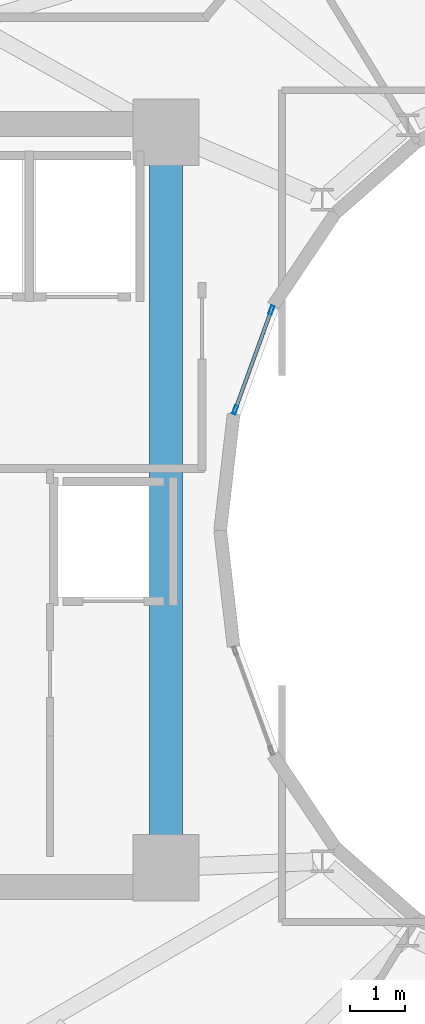
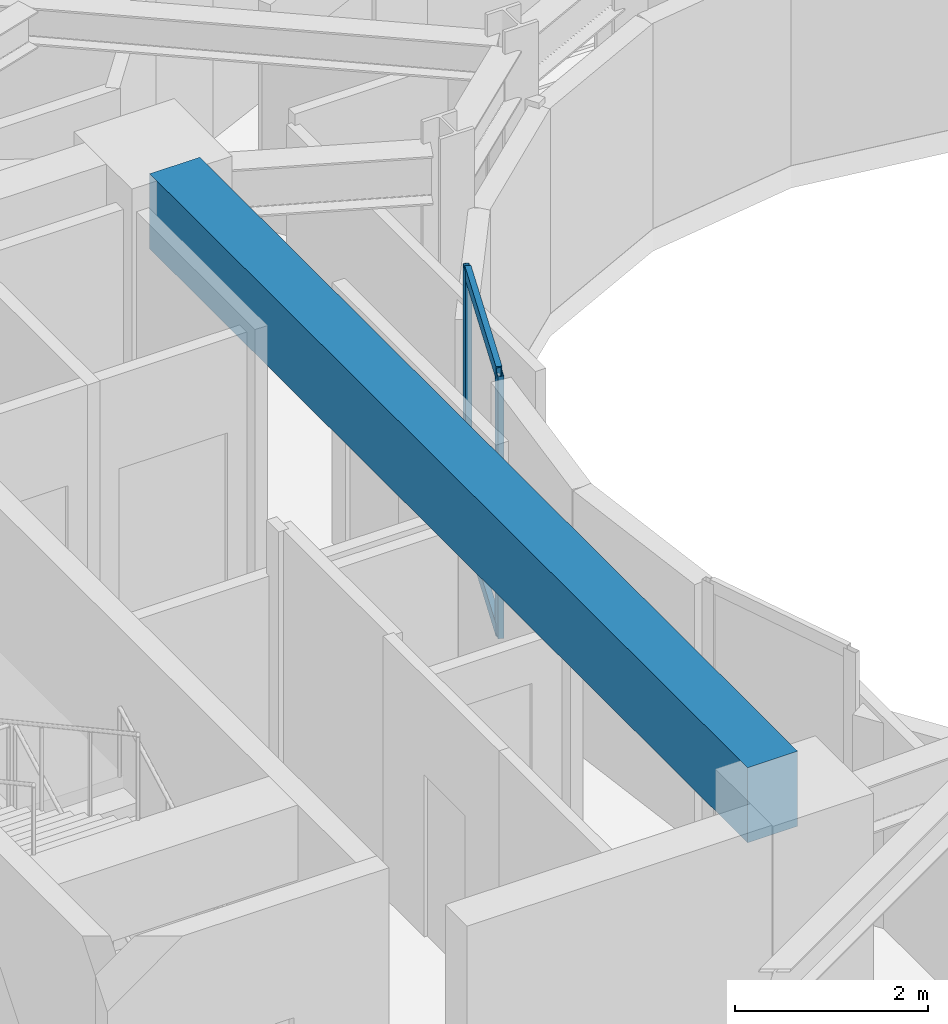
# One storey, part 7 of 24: 4 members, 1 beam, 1 element without a shape of its own.
"""IFC4 building model written with IfcOpenShell, lengths in metres."""

from ifc_helpers import new_model, si_unit, direction, frame, origin, origin_2d, place, context, subcontext, project, spatial, rectangle, hollow_rectangle, extrude, material, layer, layer_set, material_profile, profile_set, type_object, element, aggregate, save


model = new_model("IFC4")

# Units and contexts
model_context = context("Model", 3, precision=1e-05, world=origin(), true_north=direction((0.0, 1.0)))
body_context = subcontext(model_context, "Body", "Model", "MODEL_VIEW")
ifc_project = project(units=[si_unit("LENGTHUNIT", "METRE"), si_unit("AREAUNIT", "SQUARE_METRE"), si_unit("VOLUMEUNIT", "CUBIC_METRE"), si_unit("PLANEANGLEUNIT", "RADIAN"), si_unit("MASSUNIT", "GRAM", prefix="KILO")], contexts=[model_context])

# Site, building, storey
site_placement = place(None, origin())
site = spatial("IfcSite", under=ifc_project, at=site_placement, CompositionType="ELEMENT")
building_placement = place(site_placement, origin())
building = spatial("IfcBuilding", under=site, at=building_placement, Name="Solvane Sanctuary Tower", CompositionType="ELEMENT")
storey_placement = place(building_placement, frame((0.0, 0.0, 253.199951171875)))
storey = spatial("IfcBuildingStorey", under=building, at=storey_placement, Name="L77", CompositionType="ELEMENT", Elevation=253.199951171875)

# Beam
ifc_material_1 = material(Name="Concrete C70/85", Category="concrete")
ifc_material_profile_1 = material_profile(ifc_material_1, rectangle(XDim=0.60009765625, YDim=0.949951171875, at=origin_2d()), Name="RC600X950")
ifc_profile_set_1 = profile_set([ifc_material_profile_1], Name="Concrete C70/85")
beam_type = type_object("IfcBeamType", Name="Beam B-COUPLE RC600X950", PredefinedType="LINTEL", material=ifc_profile_set_1)
beam_placement = place(storey_placement, frame((23.89990234375, 17.35009765625, 3.125), z_axis=(0.0, 1.0, 0.0), x_axis=(-1.0, 0.0, 0.0)))
element("IfcBeam", 1, at=beam_placement, inside=storey, type_object=beam_type, Name="L77 West Core Coupling Lintel", PredefinedType="LINTEL", context=body_context, shape_type="SweptSolid", body=[
    extrude(rectangle(XDim=0.60009765625, YDim=0.949951171875, at=origin_2d()), origin(), (0.0, 0.0, 1.0), 12.39990234375),
])

# Curtain wall, members
ifc_material_2 = material(Name="Anodised Aluminium 6063-T6", Category="aluminium")
ifc_layer = layer(ifc_material_2, 0.199951171875, Name="Anodised Aluminium 6063-T6")
ifc_layer_set = layer_set([ifc_layer], Name="Anodised Aluminium 6063-T6")
curtain_wall_type = type_object("IfcCurtainWallType", Name="Curtain Wall CW-WELL", PredefinedType="NOTDEFINED", material=ifc_layer_set)
curtain_wall_placement = place(storey_placement, origin())
curtain_wall = element("IfcCurtainWall", 2, at=curtain_wall_placement, inside=storey, type_object=curtain_wall_type, Name="L77 Light-Well Glazed Curtain Wall 10", PredefinedType="NOTDEFINED")
ifc_material_profile_2 = material_profile(ifc_material_2, hollow_rectangle(XDim=0.06494140625, YDim=0.159912109375, WallThickness=0.00341796875, at=origin_2d()), Name="ALU160X65X3.5")
ifc_profile_set_2 = profile_set([ifc_material_profile_2], Name="Anodised Aluminium 6063-T6")
member_type_1 = type_object("IfcMemberType", Name="Member M-CW-MUL-2 ALU160X65X3.5", PredefinedType="MULLION", material=ifc_profile_set_2)
member_1_placement = place(storey_placement, frame((25.8056640625, 26.982421875, 0.0), z_axis=(0.0, 0.0, 1.0), x_axis=(0.939933181429, -0.341358483781, 0.0)))
member_1 = element("IfcMember", 3, at=member_1_placement, type_object=member_type_1, Name="CW-WELL mullion 1", PredefinedType="MULLION", context=body_context, shape_type="SweptSolid", body=[
    extrude(hollow_rectangle(XDim=0.06494140625, YDim=0.159912109375, WallThickness=0.00341796875, at=origin_2d()), origin(), (0.0, 0.0, 1.0), 3.320068359375),
])
member_2_placement = place(storey_placement, frame((25.15087890625, 25.17919921875, 0.0), z_axis=(0.0, 0.0, 1.0), x_axis=(0.939933181429, -0.341358483781, 0.0)))
member_2 = element("IfcMember", 4, at=member_2_placement, type_object=member_type_1, Name="CW-WELL mullion 2", PredefinedType="MULLION", context=body_context, shape_type="SweptSolid", body=[
    extrude(hollow_rectangle(XDim=0.06494140625, YDim=0.159912109375, WallThickness=0.00341796875, at=origin_2d()), origin(), (0.0, 0.0, 1.0), 3.320068359375),
])
ifc_material_profile_3 = material_profile(ifc_material_2, hollow_rectangle(XDim=0.06494140625, YDim=0.159912109375, WallThickness=0.00341796875, at=origin_2d()), Name="ALU160X65X3.5")
ifc_profile_set_3 = profile_set([ifc_material_profile_3], Name="Anodised Aluminium 6063-T6")
member_type_2 = type_object("IfcMemberType", Name="Member M-CW-TRN-1 ALU160X65X3.5", PredefinedType="USERDEFINED", material=ifc_profile_set_3)
member_3_placement = place(storey_placement, frame((25.794677734375, 26.951904296875, 0.032470703125), z_axis=(-0.341404620561, -0.939916424508, 0.0), x_axis=(0.939916424508, -0.341404620561, 0.0)))
member_3 = element("IfcMember", 5, at=member_3_placement, type_object=member_type_2, Name="CW-WELL transom 1.1", ObjectType="TRANSOM", PredefinedType="USERDEFINED", context=body_context, shape_type="SweptSolid", body=[
    extrude(hollow_rectangle(XDim=0.06494140625, YDim=0.159912109375, WallThickness=0.00341796875, at=origin_2d()), origin(), (0.0, 0.0, 1.0), 1.853515625),
])
member_4_placement = place(storey_placement, frame((25.794677734375, 26.951904296875, 3.28759765625), z_axis=(-0.341404620561, -0.939916424508, 0.0), x_axis=(0.939916424508, -0.341404620561, 0.0)))
member_4 = element("IfcMember", 6, at=member_4_placement, type_object=member_type_2, Name="CW-WELL transom 1.2", ObjectType="TRANSOM", PredefinedType="USERDEFINED", context=body_context, shape_type="SweptSolid", body=[
    extrude(hollow_rectangle(XDim=0.06494140625, YDim=0.159912109375, WallThickness=0.00341796875, at=origin_2d()), origin(), (0.0, 0.0, 1.0), 1.853515625),
])
aggregate(curtain_wall, [member_1, member_2, member_3, member_4])

save(model, "model.ifc")
